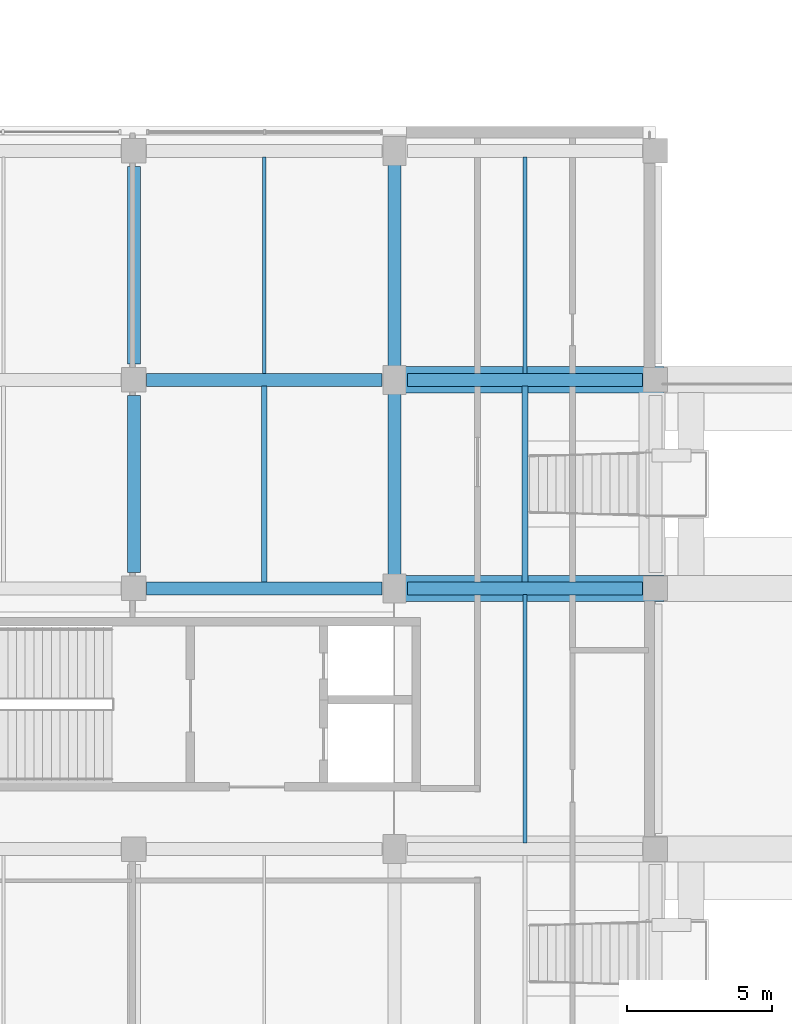
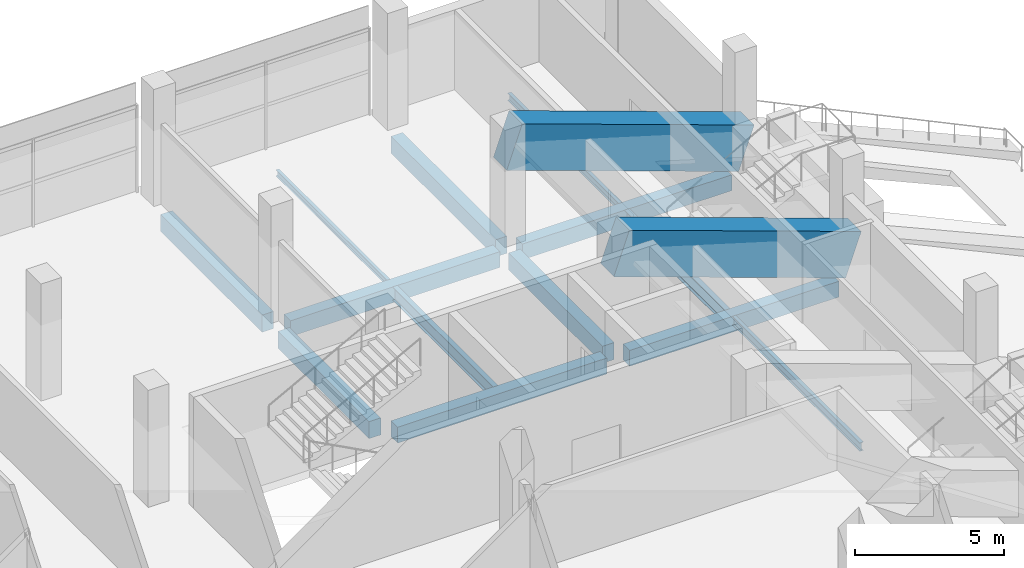
# One storey, part 30 of 66: 15 beams.
"""IFC4 building model written with IfcOpenShell, lengths in metres."""

from ifc_helpers import new_model, si_unit, direction, frame, origin, origin_2d, place, context, subcontext, project, spatial, rectangle, i_section, extrude, material, material_profile, profile_set, type_object, element, save


model = new_model("IFC4")

# Units and contexts
model_context = context("Model", 3, precision=1e-05, world=origin(), true_north=direction((0.0, 1.0)))
body_context = subcontext(model_context, "Body", "Model", "MODEL_VIEW")
ifc_project = project(units=[si_unit("LENGTHUNIT", "METRE"), si_unit("AREAUNIT", "SQUARE_METRE"), si_unit("VOLUMEUNIT", "CUBIC_METRE"), si_unit("PLANEANGLEUNIT", "RADIAN"), si_unit("MASSUNIT", "GRAM", prefix="KILO"), si_unit("THERMODYNAMICTEMPERATUREUNIT", "KELVIN"), si_unit("POWERUNIT", "WATT")], contexts=[model_context])

# Site, building, storey
site_placement = place(None, origin())
site = spatial("IfcSite", under=ifc_project, at=site_placement, CompositionType="ELEMENT")
building_placement = place(site_placement, origin())
building = spatial("IfcBuilding", under=site, at=building_placement, Name="Sindhuravela Promenade Stadium", CompositionType="ELEMENT")
storey_placement = place(building_placement, frame((0.0, 0.0, 19.199951171875)))
storey = spatial("IfcBuildingStorey", under=building, at=storey_placement, Name="L04", CompositionType="ELEMENT", Elevation=19.199951171875)

# Beams
ifc_material_1 = material(Name="Concrete M40", Category="concrete")
ifc_material_profile_1 = material_profile(ifc_material_1, rectangle(XDim=0.449951171875, YDim=0.64990234375, at=origin_2d()), Name="RC 450x650")
ifc_profile_set_1 = profile_set([ifc_material_profile_1], Name="Concrete M40")
beam_type_1 = type_object("IfcBeamType", Name="RC-BM-450x650", PredefinedType="T_BEAM", material=ifc_profile_set_1)
for number, where, z_axis, x_axis, name in (
    (1, (18.43994140625, 109.800048828125, -0.64501953125), (1.0, 0.0, 0.0), (0.0, 1.0, 0.0), "Primary girder GB08 WEST L04"),
    (2, (27.43994140625, 109.800048828125, -0.64501953125), (1.0, 0.0, 0.0), (0.0, 1.0, 0.0), "Primary girder GB08 WEST L04"),
    (3, (18.43994140625, 117.0, -0.64501953125), (1.0, 0.0, 0.0), (0.0, 1.0, 0.0), "Primary girder GB08 WEST L04"),
    (4, (27.43994140625, 117.0, -0.64501953125), (1.0, 0.0, 0.0), (0.0, 1.0, 0.0), "Primary girder GB08 WEST L04"),
):
    element("IfcBeam", number, at=place(storey_placement, frame(where, z_axis=z_axis, x_axis=x_axis)), inside=storey, type_object=beam_type_1, Name=name, PredefinedType="T_BEAM", context=body_context, shape_type="SweptSolid", body=[
        extrude(rectangle(XDim=0.449951171875, YDim=0.64990234375, at=origin_2d()), origin(), (0.0, 0.0, 1.0), 8.1201171875),
    ])
ifc_material_profile_2 = material_profile(ifc_material_1, rectangle(XDim=0.449951171875, YDim=0.699951171875, at=origin_2d()), Name="RC 450x700")
ifc_profile_set_2 = profile_set([ifc_material_profile_2], Name="Concrete M40")
beam_type_2 = type_object("IfcBeamType", Name="RC-BM-450x700", PredefinedType="BEAM", material=ifc_profile_set_2)
beam_1_placement = place(storey_placement, frame((18.0, 110.340087890625, -0.669921875), z_axis=(0.0, 1.0, 0.0), x_axis=(-1.0, 0.0, 0.0)))
element("IfcBeam", 5, at=beam_1_placement, inside=storey, type_object=beam_type_2, Name="Primary beam GB07 WEST L04", PredefinedType="BEAM", context=body_context, shape_type="SweptSolid", body=[
    extrude(rectangle(XDim=0.449951171875, YDim=0.699951171875, at=origin_2d()), origin(), (0.0, 0.0, 1.0), 6.119873046875),
])
beam_2_placement = place(storey_placement, frame((18.0, 117.5400390625, -0.669921875), z_axis=(0.0, 1.0, 0.0), x_axis=(-1.0, 0.0, 0.0)))
element("IfcBeam", 6, at=beam_2_placement, inside=storey, type_object=beam_type_2, Name="Primary beam GB07 WEST L04", PredefinedType="BEAM", context=body_context, shape_type="SweptSolid", body=[
    extrude(rectangle(XDim=0.449951171875, YDim=0.699951171875, at=origin_2d()), origin(), (0.0, 0.0, 1.0), 6.820068359375),
])
beam_3_placement = place(storey_placement, frame((27.0, 110.239990234375, -0.669921875), z_axis=(0.0, 1.0, 0.0), x_axis=(-1.0, 0.0, 0.0)))
element("IfcBeam", 7, at=beam_3_placement, inside=storey, type_object=beam_type_2, Name="Primary beam GB07 WEST L04", PredefinedType="BEAM", context=body_context, shape_type="SweptSolid", body=[
    extrude(rectangle(XDim=0.449951171875, YDim=0.699951171875, at=origin_2d()), origin(), (0.0, 0.0, 1.0), 6.320068359375),
])
beam_4_placement = place(storey_placement, frame((27.0, 117.43994140625, -0.669921875), z_axis=(0.0, 1.0, 0.0), x_axis=(-1.0, 0.0, 0.0)))
element("IfcBeam", 8, at=beam_4_placement, inside=storey, type_object=beam_type_2, Name="Primary beam GB07 WEST L04", PredefinedType="BEAM", context=body_context, shape_type="SweptSolid", body=[
    extrude(rectangle(XDim=0.449951171875, YDim=0.699951171875, at=origin_2d()), origin(), (0.0, 0.0, 1.0), 7.02001953125),
])
ifc_material_2 = material(Name="Concrete M50", Category="concrete")
ifc_material_profile_3 = material_profile(ifc_material_2, rectangle(XDim=0.89990234375, YDim=1.800048828125, at=origin_2d()), Name="RC 900x1800")
ifc_profile_set_3 = profile_set([ifc_material_profile_3], Name="Concrete M50")
beam_type_3 = type_object("IfcBeamType", Name="RC-RK-900x1800", PredefinedType="USERDEFINED", material=ifc_profile_set_3)
for number, where, z_axis, x_axis, name in (
    (9, (27.0, 109.800048828125, 3.949951171875), (0.9422163038291221, 0.0, -0.3350051295108589), (0.0, 1.0, 0.0), "Upper raker back-span RK01 West 67"),
    (10, (27.0, 117.0, 3.949951171875), (0.9422163038291221, 0.0, -0.3350051295108589), (0.0, 1.0, 0.0), "Upper raker back-span RK01 West 69"),
):
    element("IfcBeam", number, at=place(storey_placement, frame(where, z_axis=z_axis, x_axis=x_axis)), inside=storey, type_object=beam_type_3, Name=name, ObjectType="RAKER", PredefinedType="USERDEFINED", context=body_context, shape_type="SweptSolid", body=[
        extrude(rectangle(XDim=0.89990234375, YDim=1.800048828125, at=origin_2d()), origin(), (0.0, 0.0, 1.0), 9.552001953125),
    ])
ifc_material_3 = material(Name="Steel E350 (IS 2062 E350BR)", Category="steel")
ifc_material_profile_4 = material_profile(ifc_material_3, i_section(OverallWidth=0.125, OverallDepth=0.25, WebThickness=0.0068359375, FlangeThickness=0.012451171875, FilletRadius=0.012939453125, at=origin_2d()), Name="ISMB 250")
ifc_profile_set_4 = profile_set([ifc_material_profile_4], Name="Steel E350 (IS 2062 E350BR)")
beam_type_4 = type_object("IfcBeamType", Name="ST-BM-MB250", PredefinedType="JOIST", material=ifc_profile_set_4)
beam_5_placement = place(storey_placement, frame((22.5, 117.215087890625, -0.445068359375), z_axis=(0.0, 1.0, 0.0), x_axis=(-1.0, 0.0, 0.0)))
element("IfcBeam", 11, at=beam_5_placement, inside=storey, type_object=beam_type_4, Name="Secondary floor joist SB02 WEST L04", PredefinedType="JOIST", context=body_context, shape_type="SweptSolid", body=[
    extrude(i_section(OverallWidth=0.125, OverallDepth=0.25, WebThickness=0.0068359375, FlangeThickness=0.012451171875, FilletRadius=0.012939453125, at=origin_2d()), origin(), (0.0, 0.0, 1.0), 7.469970703125),
])
ifc_material_profile_5 = material_profile(ifc_material_3, i_section(OverallWidth=0.139892578125, OverallDepth=0.300048828125, WebThickness=0.0078125, FlangeThickness=0.01318359375, FilletRadius=0.013916015625, at=origin_2d()), Name="ISMB 300")
ifc_profile_set_5 = profile_set([ifc_material_profile_5], Name="Steel E350 (IS 2062 E350BR)")
beam_type_5 = type_object("IfcBeamType", Name="ST-BM-MB300", PredefinedType="JOIST", material=ifc_profile_set_5)
beam_6_placement = place(storey_placement, frame((31.5, 117.215087890625, -0.469970703125), z_axis=(0.0, 1.0, 0.0), x_axis=(-1.0, 0.0, 0.0)))
element("IfcBeam", 12, at=beam_6_placement, inside=storey, type_object=beam_type_5, Name="Secondary floor joist SB03 WEST L04", PredefinedType="JOIST", context=body_context, shape_type="SweptSolid", body=[
    extrude(i_section(OverallWidth=0.139892578125, OverallDepth=0.300048828125, WebThickness=0.0078125, FlangeThickness=0.01318359375, FilletRadius=0.013916015625, at=origin_2d()), origin(), (0.0, 0.0, 1.0), 7.469970703125),
])
ifc_material_profile_6 = material_profile(ifc_material_3, i_section(OverallWidth=0.139892578125, OverallDepth=0.35009765625, WebThickness=0.008056640625, FlangeThickness=0.01416015625, FilletRadius=0.013916015625, at=origin_2d()), Name="ISMB 350")
ifc_profile_set_6 = profile_set([ifc_material_profile_6], Name="Steel E350 (IS 2062 E350BR)")
beam_type_6 = type_object("IfcBeamType", Name="ST-BM-MB350", PredefinedType="JOIST", material=ifc_profile_set_6)
beam_7_placement = place(storey_placement, frame((31.5, 101.014892578125, -0.494873046875), z_axis=(0.0, 1.0, 0.0), x_axis=(-1.0, 0.0, 0.0)))
element("IfcBeam", 13, at=beam_7_placement, inside=storey, type_object=beam_type_6, Name="Secondary floor joist SB04 WEST L04", PredefinedType="JOIST", context=body_context, shape_type="SweptSolid", body=[
    extrude(i_section(OverallWidth=0.139892578125, OverallDepth=0.35009765625, WebThickness=0.008056640625, FlangeThickness=0.01416015625, FilletRadius=0.013916015625, at=origin_2d()), origin(), (0.0, 0.0, 1.0), 8.570068359375),
])
ifc_material_profile_7 = material_profile(ifc_material_3, i_section(OverallWidth=0.18994140625, OverallDepth=0.550048828125, WebThickness=0.01123046875, FlangeThickness=0.019287109375, FilletRadius=0.01806640625, at=origin_2d()), Name="ISMB 550")
ifc_profile_set_7 = profile_set([ifc_material_profile_7], Name="Steel E350 (IS 2062 E350BR)")
beam_type_7 = type_object("IfcBeamType", Name="ST-BM-MB550", PredefinedType="SPANDREL", material=ifc_profile_set_7)
beam_8_placement = place(storey_placement, frame((22.5, 110.014892578125, -0.594970703125), z_axis=(0.0, 1.0, 0.0), x_axis=(-1.0, 0.0, 0.0)))
element("IfcBeam", 14, at=beam_8_placement, inside=storey, type_object=beam_type_7, Name="Secondary floor joist SB08 WEST L04", PredefinedType="SPANDREL", context=body_context, shape_type="SweptSolid", body=[
    extrude(i_section(OverallWidth=0.18994140625, OverallDepth=0.550048828125, WebThickness=0.01123046875, FlangeThickness=0.019287109375, FilletRadius=0.01806640625, at=origin_2d()), origin(), (0.0, 0.0, 1.0), 6.77001953125),
])
ifc_material_profile_8 = material_profile(ifc_material_3, i_section(OverallWidth=0.2099609375, OverallDepth=0.60009765625, WebThickness=0.011962890625, FlangeThickness=0.020751953125, FilletRadius=0.02001953125, at=origin_2d()), Name="ISMB 600")
ifc_profile_set_8 = profile_set([ifc_material_profile_8], Name="Steel E350 (IS 2062 E350BR)")
beam_type_8 = type_object("IfcBeamType", Name="ST-BM-MB600", PredefinedType="BEAM", material=ifc_profile_set_8)
beam_9_placement = place(storey_placement, frame((31.5, 110.014892578125, -0.619873046875), z_axis=(0.0, 1.0, 0.0), x_axis=(-1.0, 0.0, 0.0)))
element("IfcBeam", 15, at=beam_9_placement, inside=storey, type_object=beam_type_8, Name="Secondary floor joist SB09 WEST L04", PredefinedType="BEAM", context=body_context, shape_type="SweptSolid", body=[
    extrude(i_section(OverallWidth=0.2099609375, OverallDepth=0.60009765625, WebThickness=0.011962890625, FlangeThickness=0.020751953125, FilletRadius=0.02001953125, at=origin_2d()), origin(), (0.0, 0.0, 1.0), 6.77001953125),
])

save(model, "model.ifc")
